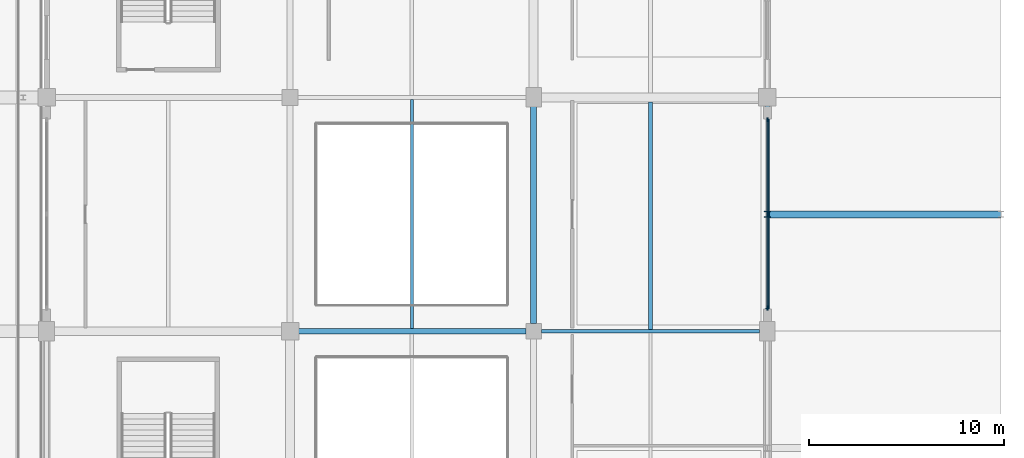
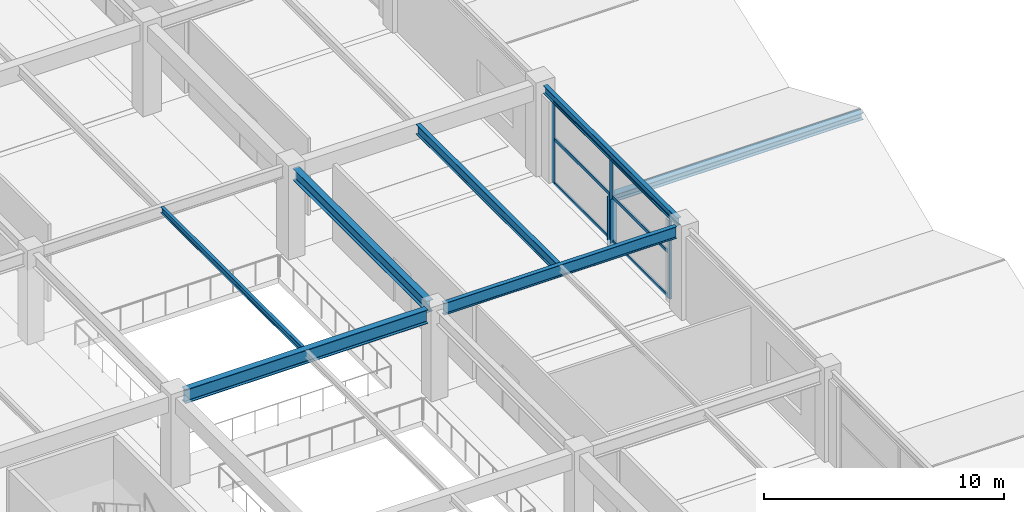
# One storey, part 46 of 134: 11 members, 6 beams, 1 element without a shape of its own.
"""IFC4 building model written with IfcOpenShell, lengths in metres."""

from ifc_helpers import new_model, si_unit, direction, frame, origin, origin_2d, place, context, subcontext, project, spatial, rectangle, i_section, extrude, material, layer, layer_set, material_profile, profile_set, type_object, element, aggregate, save


model = new_model("IFC4")

# Units and contexts
model_context = context("Model", 3, precision=1e-05, world=origin(), true_north=direction((0.0, 1.0)))
body_context = subcontext(model_context, "Body", "Model", "MODEL_VIEW")
ifc_project = project(units=[si_unit("LENGTHUNIT", "METRE"), si_unit("AREAUNIT", "SQUARE_METRE"), si_unit("VOLUMEUNIT", "CUBIC_METRE"), si_unit("PLANEANGLEUNIT", "RADIAN"), si_unit("MASSUNIT", "GRAM", prefix="KILO")], contexts=[model_context])

# Site, building, storey
site_placement = place(None, origin())
site = spatial("IfcSite", under=ifc_project, at=site_placement, CompositionType="ELEMENT")
building_placement = place(site_placement, origin())
building = spatial("IfcBuilding", under=site, at=building_placement, Name="Kazenohara Klinker Stadium", CompositionType="ELEMENT")
storey_placement = place(building_placement, frame((0.0, 0.0, 5.39990234375)))
storey = spatial("IfcBuildingStorey", under=building, at=storey_placement, Name="L01", CompositionType="ELEMENT", Elevation=5.39990234375)

# Beams
ifc_material_1 = material(Name="Steel S355", Category="steel")
ifc_material_profile_1 = material_profile(ifc_material_1, i_section(OverallWidth=0.199951171875, OverallDepth=0.5, WebThickness=0.010009765625, FlangeThickness=0.01611328125, FilletRadius=0.012939453125, at=origin_2d()), Name="H-500x200x10x16")
ifc_profile_set_1 = profile_set([ifc_material_profile_1], Name="Steel S355")
beam_type_1 = type_object("IfcBeamType", Name="BM-JST01", PredefinedType="JOIST", material=ifc_profile_set_1)
beam_1_placement = place(storey_placement, frame((206.0, 84.10009765625, 4.300048828125), z_axis=(0.0, 1.0, 0.0), x_axis=(-1.0, 0.0, 0.0)))
element("IfcBeam", 1, at=beam_1_placement, inside=storey, type_object=beam_type_1, Name="Secondary floor joist SJ01 L01 17/H", PredefinedType="JOIST", context=body_context, shape_type="SweptSolid", body=[
    extrude(i_section(OverallWidth=0.199951171875, OverallDepth=0.5, WebThickness=0.010009765625, FlangeThickness=0.01611328125, FilletRadius=0.012939453125, at=origin_2d()), origin(), (0.0, 0.0, 1.0), 11.6748046875),
])
ifc_material_profile_2 = material_profile(ifc_material_1, i_section(OverallWidth=0.14990234375, OverallDepth=0.300048828125, WebThickness=0.006591796875, FlangeThickness=0.009033203125, FilletRadius=0.012939453125, at=origin_2d()), Name="H-300x150x6.5x9")
ifc_profile_set_2 = profile_set([ifc_material_profile_2], Name="Steel S355")
beam_type_2 = type_object("IfcBeamType", Name="BM-JST05", PredefinedType="JOIST", material=ifc_profile_set_2)
beam_2_placement = place(storey_placement, frame((193.75, 84.14990234375, 4.400146484375), z_axis=(0.0, 1.0, 0.0), x_axis=(-1.0, 0.0, 0.0)))
element("IfcBeam", 2, at=beam_2_placement, inside=storey, type_object=beam_type_2, Name="Secondary floor joist SJ05 L01 16/H", PredefinedType="JOIST", context=body_context, shape_type="SweptSolid", body=[
    extrude(i_section(OverallWidth=0.14990234375, OverallDepth=0.300048828125, WebThickness=0.006591796875, FlangeThickness=0.009033203125, FilletRadius=0.012939453125, at=origin_2d()), origin(), (0.0, 0.0, 1.0), 11.75),
])
ifc_material_profile_3 = material_profile(ifc_material_1, i_section(OverallWidth=0.199951171875, OverallDepth=0.39990234375, WebThickness=0.008056640625, FlangeThickness=0.012939453125, FilletRadius=0.012939453125, at=origin_2d()), Name="H-400x200x8x13")
ifc_profile_set_3 = profile_set([ifc_material_profile_3], Name="Steel S355")
beam_type_3 = type_object("IfcBeamType", Name="BM-SPD01", PredefinedType="SPANDREL", material=ifc_profile_set_3)
beam_3_placement = place(storey_placement, frame((212.0, 84.419921875, 4.35009765625), z_axis=(0.0, 1.0, 0.0), x_axis=(-1.0, 0.0, 0.0)))
element("IfcBeam", 3, at=beam_3_placement, inside=storey, type_object=beam_type_3, Name="Primary girder SP01 L01 18/H-J", PredefinedType="SPANDREL", context=body_context, shape_type="SweptSolid", body=[
    extrude(i_section(OverallWidth=0.199951171875, OverallDepth=0.39990234375, WebThickness=0.008056640625, FlangeThickness=0.012939453125, FilletRadius=0.012939453125, at=origin_2d()), origin(), (0.0, 0.0, 1.0), 11.16015625),
])
ifc_material_profile_4 = material_profile(ifc_material_1, i_section(OverallWidth=0.300048828125, OverallDepth=0.699951171875, WebThickness=0.012939453125, FlangeThickness=0.02392578125, FilletRadius=0.02197265625, at=origin_2d()), Name="H-700x300x13x24")
ifc_profile_set_4 = profile_set([ifc_material_profile_4], Name="Steel S355")
beam_type_4 = type_object("IfcBeamType", Name="BM-ST03", PredefinedType="BEAM", material=ifc_profile_set_4)
beam_4_placement = place(storey_placement, frame((187.919921875, 84.0, 4.2001953125), z_axis=(1.0, 0.0, 0.0), x_axis=(0.0, 1.0, 0.0)))
element("IfcBeam", 4, at=beam_4_placement, inside=storey, type_object=beam_type_4, Name="Primary girder SB03 L01 16-17/H", PredefinedType="BEAM", context=body_context, shape_type="SweptSolid", body=[
    extrude(i_section(OverallWidth=0.300048828125, OverallDepth=0.699951171875, WebThickness=0.012939453125, FlangeThickness=0.02392578125, FilletRadius=0.02197265625, at=origin_2d()), origin(), (0.0, 0.0, 1.0), 11.68017578125),
])
ifc_material_profile_5 = material_profile(ifc_material_1, i_section(OverallWidth=0.199951171875, OverallDepth=0.60009765625, WebThickness=0.010986328125, FlangeThickness=0.01708984375, FilletRadius=0.012939453125, at=origin_2d()), Name="H-600x200x11x17")
ifc_profile_set_5 = profile_set([ifc_material_profile_5], Name="Steel S355")
beam_type_5 = type_object("IfcBeamType", Name="BM-ST04", PredefinedType="BEAM", material=ifc_profile_set_5)
beam_5_placement = place(storey_placement, frame((200.39990234375, 84.0, 4.25), z_axis=(1.0, 0.0, 0.0), x_axis=(0.0, 1.0, 0.0)))
element("IfcBeam", 5, at=beam_5_placement, inside=storey, type_object=beam_type_5, Name="Primary girder SB04 L01 17-18/H", PredefinedType="BEAM", context=body_context, shape_type="SweptSolid", body=[
    extrude(i_section(OverallWidth=0.199951171875, OverallDepth=0.60009765625, WebThickness=0.010986328125, FlangeThickness=0.01708984375, FilletRadius=0.012939453125, at=origin_2d()), origin(), (0.0, 0.0, 1.0), 11.2001953125),
])
ifc_material_profile_6 = material_profile(ifc_material_1, i_section(OverallWidth=0.300048828125, OverallDepth=0.587890625, WebThickness=0.011962890625, FlangeThickness=0.02001953125, FilletRadius=0.02197265625, at=origin_2d()), Name="H-588x300x12x20")
ifc_profile_set_6 = profile_set([ifc_material_profile_6], Name="Steel S355")
beam_type_6 = type_object("IfcBeamType", Name="BM-ST05", PredefinedType="BEAM", material=ifc_profile_set_6)
beam_6_placement = place(storey_placement, frame((200.0, 84.39990234375, 4.256103515625), z_axis=(0.0, 1.0, 0.0), x_axis=(-1.0, 0.0, 0.0)))
element("IfcBeam", 6, at=beam_6_placement, inside=storey, type_object=beam_type_6, Name="Primary girder SB05 L01 17/H-J", PredefinedType="BEAM", context=body_context, shape_type="SweptSolid", body=[
    extrude(i_section(OverallWidth=0.300048828125, OverallDepth=0.587890625, WebThickness=0.011962890625, FlangeThickness=0.02001953125, FilletRadius=0.02197265625, at=origin_2d()), origin(), (0.0, 0.0, 1.0), 11.18017578125),
])

# Curtain wall, members
ifc_material_2 = material(Name="Anodised aluminium and triple glazing", Category="aluminium")
ifc_layer = layer(ifc_material_2, 0.169921875)
ifc_layer_set = layer_set([ifc_layer], Name="Anodised aluminium and triple glazing")
curtain_wall_type = type_object("IfcCurtainWallType", Name="CW-SYS-04", PredefinedType="USERDEFINED", material=ifc_layer_set)
curtain_wall_placement = place(storey_placement, origin())
curtain_wall = element("IfcCurtainWall", 7, at=curtain_wall_placement, inside=storey, type_object=curtain_wall_type, Name="Unitised facade curtain wall CW04 L01 Y17-7", ObjectType="UNITISED CURTAIN WALL", PredefinedType="USERDEFINED")
ifc_material_3 = material(Name="Anodised aluminium 6063-T6", Category="aluminium")
ifc_material_profile_7 = material_profile(ifc_material_3, rectangle(XDim=0.074951171875, YDim=0.219970703125, at=origin_2d()), Name="ALU-MUL-75x220")
ifc_profile_set_7 = profile_set([ifc_material_profile_7], Name="Anodised aluminium 6063-T6")
member_type_1 = type_object("IfcMemberType", Name="CW-MUL-220", PredefinedType="MULLION", material=ifc_profile_set_7)
member_1_placement = place(storey_placement, frame((212.0, 85.19140625, 0.0), z_axis=(0.0, 0.0, 1.0), x_axis=(-1.0, 0.0, 0.0)))
member_1 = element("IfcMember", 8, at=member_1_placement, type_object=member_type_1, Name="CW04 mullion 1", PredefinedType="MULLION", context=body_context, shape_type="SweptSolid", body=[
    extrude(rectangle(XDim=0.074951171875, YDim=0.219970703125, at=origin_2d()), origin(), (0.0, 0.0, 1.0), 4.150146484375),
])
member_2_placement = place(storey_placement, frame((212.0, 90.02490234375, 0.0), z_axis=(0.0, 0.0, 1.0), x_axis=(-1.0, 0.0, 0.0)))
member_2 = element("IfcMember", 9, at=member_2_placement, type_object=member_type_1, Name="CW04 mullion 2", PredefinedType="MULLION", context=body_context, shape_type="SweptSolid", body=[
    extrude(rectangle(XDim=0.074951171875, YDim=0.219970703125, at=origin_2d()), origin(), (0.0, 0.0, 1.0), 4.150146484375),
])
member_3_placement = place(storey_placement, frame((212.0, 94.8583984375, 0.0), z_axis=(0.0, 0.0, 1.0), x_axis=(-1.0, 0.0, 0.0)))
member_3 = element("IfcMember", 10, at=member_3_placement, type_object=member_type_1, Name="CW04 mullion 3", PredefinedType="MULLION", context=body_context, shape_type="SweptSolid", body=[
    extrude(rectangle(XDim=0.074951171875, YDim=0.219970703125, at=origin_2d()), origin(), (0.0, 0.0, 1.0), 4.150146484375),
])
ifc_material_profile_8 = material_profile(ifc_material_3, rectangle(XDim=0.074951171875, YDim=0.159912109375, at=origin_2d()), Name="ALU-TRN-75x160")
ifc_profile_set_8 = profile_set([ifc_material_profile_8], Name="Anodised aluminium 6063-T6")
member_type_2 = type_object("IfcMemberType", Name="CW-TRN-160", PredefinedType="USERDEFINED", material=ifc_profile_set_8)
member_4_placement = place(storey_placement, frame((212.0, 85.22900390625, 0.03759765625), z_axis=(0.0, 1.0, 0.0), x_axis=(-1.0, 0.0, 0.0)))
member_4 = element("IfcMember", 11, at=member_4_placement, type_object=member_type_2, Name="CW04 transom 1.1", ObjectType="TRANSOM", PredefinedType="USERDEFINED", context=body_context, shape_type="SweptSolid", body=[
    extrude(rectangle(XDim=0.074951171875, YDim=0.159912109375, at=origin_2d()), origin(), (0.0, 0.0, 1.0), 4.758544921875),
])
member_5_placement = place(storey_placement, frame((212.0, 85.22900390625, 2.28271484375), z_axis=(0.0, 1.0, 0.0), x_axis=(-1.0, 0.0, 0.0)))
member_5 = element("IfcMember", 12, at=member_5_placement, type_object=member_type_2, Name="CW04 transom 1.2", ObjectType="TRANSOM", PredefinedType="USERDEFINED", context=body_context, shape_type="SweptSolid", body=[
    extrude(rectangle(XDim=0.074951171875, YDim=0.159912109375, at=origin_2d()), origin(), (0.0, 0.0, 1.0), 4.758544921875),
])
member_6_placement = place(storey_placement, frame((212.0, 85.22900390625, 4.112548828125), z_axis=(0.0, 1.0, 0.0), x_axis=(-1.0, 0.0, 0.0)))
member_6 = element("IfcMember", 13, at=member_6_placement, type_object=member_type_2, Name="CW04 transom 1.3", ObjectType="TRANSOM", PredefinedType="USERDEFINED", context=body_context, shape_type="SweptSolid", body=[
    extrude(rectangle(XDim=0.074951171875, YDim=0.159912109375, at=origin_2d()), origin(), (0.0, 0.0, 1.0), 4.758544921875),
])
member_7_placement = place(storey_placement, frame((212.0, 90.0625, 0.03759765625), z_axis=(0.0, 1.0, 0.0), x_axis=(-1.0, 0.0, 0.0)))
member_7 = element("IfcMember", 14, at=member_7_placement, type_object=member_type_2, Name="CW04 transom 2.1", ObjectType="TRANSOM", PredefinedType="USERDEFINED", context=body_context, shape_type="SweptSolid", body=[
    extrude(rectangle(XDim=0.074951171875, YDim=0.159912109375, at=origin_2d()), origin(), (0.0, 0.0, 1.0), 4.758544921875),
])
member_8_placement = place(storey_placement, frame((212.0, 90.0625, 2.28271484375), z_axis=(0.0, 1.0, 0.0), x_axis=(-1.0, 0.0, 0.0)))
member_8 = element("IfcMember", 15, at=member_8_placement, type_object=member_type_2, Name="CW04 transom 2.2", ObjectType="TRANSOM", PredefinedType="USERDEFINED", context=body_context, shape_type="SweptSolid", body=[
    extrude(rectangle(XDim=0.074951171875, YDim=0.159912109375, at=origin_2d()), origin(), (0.0, 0.0, 1.0), 4.758544921875),
])
member_9_placement = place(storey_placement, frame((212.0, 90.0625, 4.112548828125), z_axis=(0.0, 1.0, 0.0), x_axis=(-1.0, 0.0, 0.0)))
member_9 = element("IfcMember", 16, at=member_9_placement, type_object=member_type_2, Name="CW04 transom 2.3", ObjectType="TRANSOM", PredefinedType="USERDEFINED", context=body_context, shape_type="SweptSolid", body=[
    extrude(rectangle(XDim=0.074951171875, YDim=0.159912109375, at=origin_2d()), origin(), (0.0, 0.0, 1.0), 4.758544921875),
])
aggregate(curtain_wall, [member_1, member_2, member_3, member_4, member_5, member_6, member_7, member_8, member_9])

# Members
ifc_material_profile_9 = material_profile(ifc_material_1, i_section(OverallWidth=0.35009765625, OverallDepth=0.35009765625, WebThickness=0.011962890625, FlangeThickness=0.01904296875, FilletRadius=0.012939453125, at=origin_2d()), Name="H-350x350x12x19")
ifc_profile_set_9 = profile_set([ifc_material_profile_9], Name="Steel S355")
member_type_3 = type_object("IfcMemberType", Name="MEM-CHD02", PredefinedType="CHORD", material=ifc_profile_set_9)
member_10_placement = place(storey_placement, frame((212.0, 90.0, 2.22998046875), z_axis=(1.0, 0.0, 0.0), x_axis=(0.0, 1.0, 0.0)))
element("IfcMember", 17, at=member_10_placement, inside=storey, type_object=member_type_3, Name="Stepped pavilion gable ridge beam L01 18/H", PredefinedType="CHORD", context=body_context, shape_type="SweptSolid", body=[
    extrude(i_section(OverallWidth=0.35009765625, OverallDepth=0.35009765625, WebThickness=0.011962890625, FlangeThickness=0.01904296875, FilletRadius=0.012939453125, at=origin_2d()), origin(), (0.0, 0.0, 1.0), 12.0),
])
ifc_material_profile_10 = material_profile(ifc_material_1, i_section(OverallWidth=0.300048828125, OverallDepth=0.300048828125, WebThickness=0.010009765625, FlangeThickness=0.014892578125, FilletRadius=0.012939453125, at=origin_2d()), Name="H-300x300x10x15")
ifc_profile_set_10 = profile_set([ifc_material_profile_10], Name="Steel S355")
member_type_4 = type_object("IfcMemberType", Name="MEM-STR01", PredefinedType="STRUT", material=ifc_profile_set_10)
member_11_placement = place(storey_placement, frame((212.0, 90.0, -0.429931640625), z_axis=(0.0, 0.0, 1.0), x_axis=(1.0, 0.0, 0.0)))
element("IfcMember", 18, at=member_11_placement, inside=storey, type_object=member_type_4, Name="Stepped pavilion gable king-post L01 18/H W", PredefinedType="STRUT", context=body_context, shape_type="SweptSolid", body=[
    extrude(i_section(OverallWidth=0.300048828125, OverallDepth=0.300048828125, WebThickness=0.010009765625, FlangeThickness=0.014892578125, FilletRadius=0.012939453125, at=origin_2d()), origin(), (0.0, 0.0, 1.0), 2.659912109375),
])

save(model, "model.ifc")
